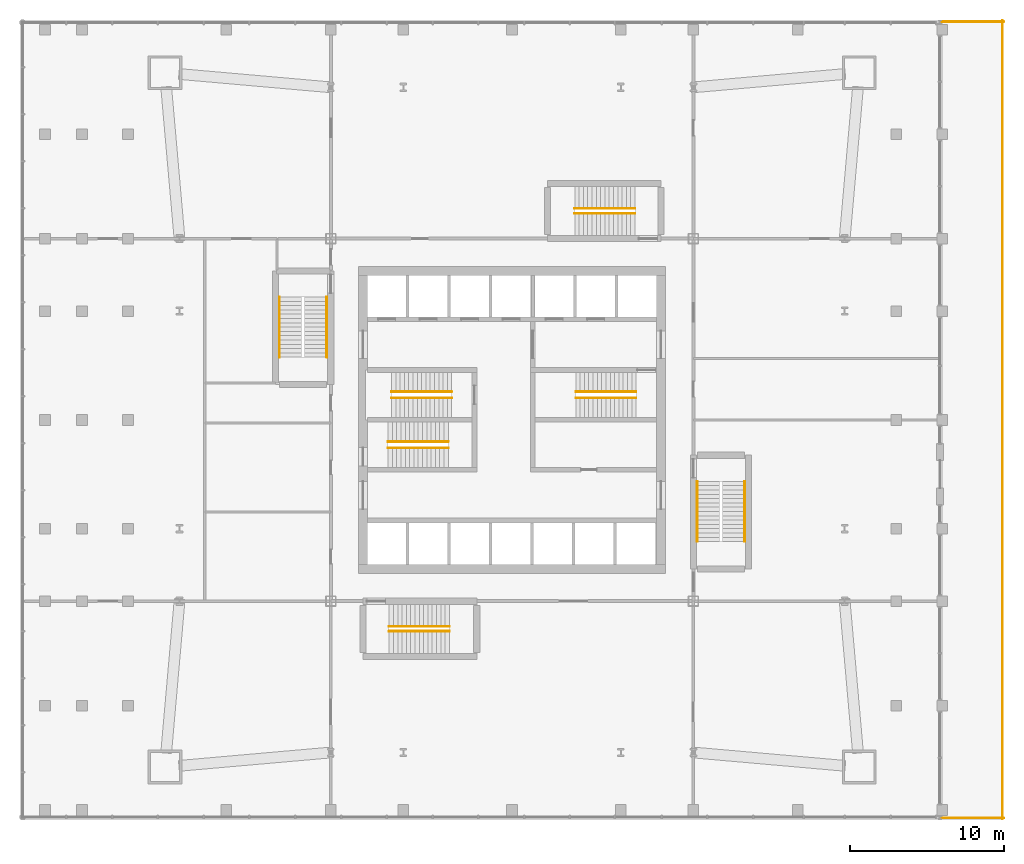
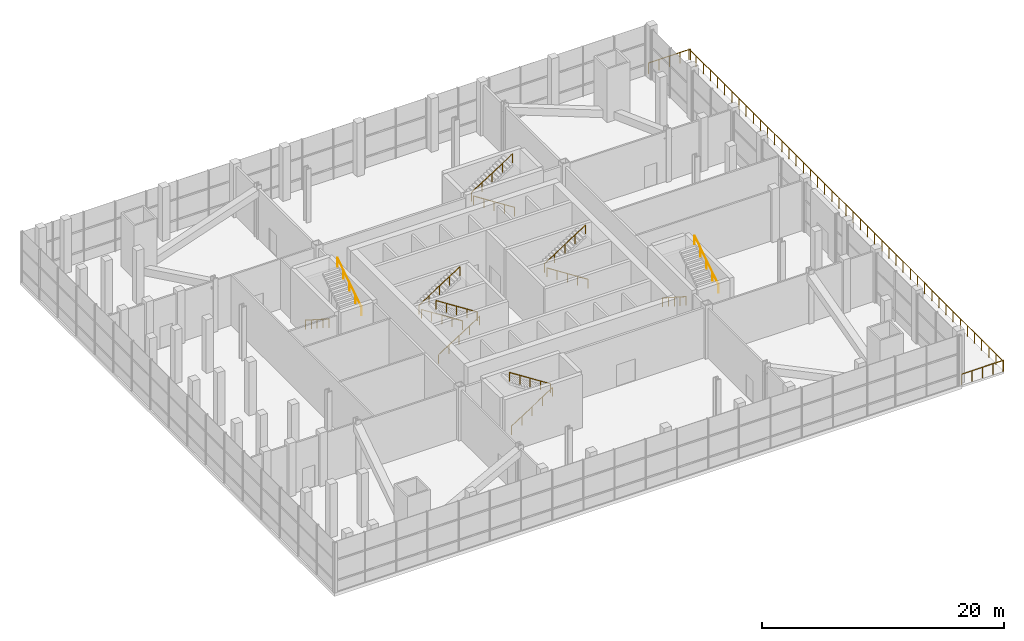
# One storey, part 17 of 17: 17 railings.
"""IFC4 building model written with IfcOpenShell, lengths in metres."""

from ifc_helpers import new_model, si_unit, direction, frame, origin, origin_2d, place, context, subcontext, project, spatial, circle, extrude, material, type_object, element, save


model = new_model("IFC4")

# Units and contexts
model_context = context("Model", 3, precision=1e-05, world=origin(), true_north=direction((0.0, 1.0)))
body_context = subcontext(model_context, "Body", "Model", "MODEL_VIEW")
ifc_project = project(units=[si_unit("LENGTHUNIT", "METRE"), si_unit("AREAUNIT", "SQUARE_METRE"), si_unit("VOLUMEUNIT", "CUBIC_METRE"), si_unit("PLANEANGLEUNIT", "RADIAN"), si_unit("MASSUNIT", "GRAM", prefix="KILO")], contexts=[model_context])

# Site, building, storey
site_placement = place(None, origin())
site = spatial("IfcSite", under=ifc_project, at=site_placement, CompositionType="ELEMENT")
building_placement = place(site_placement, origin())
building = spatial("IfcBuilding", under=site, at=building_placement, Name="Turquesa Mirador Hotel Tower", CompositionType="ELEMENT")
storey_placement = place(building_placement, frame((0.0, 0.0, 5.60009765625)))
storey = spatial("IfcBuildingStorey", under=building, at=storey_placement, Name="L01", CompositionType="ELEMENT", Elevation=5.60009765625)

# Railings
ifc_material_1 = material(Name="Bronze-finish steel and laminated glass", Category="steel")
railing_type_1 = type_object("IfcRailingType", Name="GUARD 1100 BRONZE AND GLASS", PredefinedType="GUARDRAIL", material=ifc_material_1)
railing_1_placement = place(storey_placement, frame((86.919921875, 71.0, 0.0)))
element("IfcRailing", 1, at=railing_1_placement, inside=storey, type_object=railing_type_1, Name="Terrace guard L01", PredefinedType="GUARDRAIL", context=body_context, shape_type="SweptSolid", body=[
    extrude(circle(Radius=0.02392578125, at=origin_2d()), frame((0.0, 0.0, 1.076171875), z_axis=(0.0, -1.0, 0.0), x_axis=(1.0, 0.0, 0.0)), (0.0, 0.0, 1.0), 52.0),
    extrude(circle(Radius=0.02099609375, at=origin_2d()), origin(), (0.0, 0.0, 1.0), 1.052001953125),
    extrude(circle(Radius=0.02099609375, at=origin_2d()), frame((0.0, -1.181884765625, 0.0)), (0.0, 0.0, 1.0), 1.052001953125),
    extrude(circle(Radius=0.02099609375, at=origin_2d()), frame((0.0, -2.363525390625, 0.0)), (0.0, 0.0, 1.0), 1.052001953125),
    extrude(circle(Radius=0.02099609375, at=origin_2d()), frame((0.0, -3.54541015625, 0.0)), (0.0, 0.0, 1.0), 1.052001953125),
    extrude(circle(Radius=0.02099609375, at=origin_2d()), frame((0.0, -4.727294921875, 0.0)), (0.0, 0.0, 1.0), 1.052001953125),
    extrude(circle(Radius=0.02099609375, at=origin_2d()), frame((0.0, -5.9091796875, 0.0)), (0.0, 0.0, 1.0), 1.052001953125),
    extrude(circle(Radius=0.02099609375, at=origin_2d()), frame((0.0, -7.0908203125, 0.0)), (0.0, 0.0, 1.0), 1.052001953125),
    extrude(circle(Radius=0.02099609375, at=origin_2d()), frame((0.0, -8.272705078125, 0.0)), (0.0, 0.0, 1.0), 1.052001953125),
    extrude(circle(Radius=0.02099609375, at=origin_2d()), frame((0.0, -9.45458984375, 0.0)), (0.0, 0.0, 1.0), 1.052001953125),
    extrude(circle(Radius=0.02099609375, at=origin_2d()), frame((0.0, -10.636474609375, 0.0)), (0.0, 0.0, 1.0), 1.052001953125),
    extrude(circle(Radius=0.02099609375, at=origin_2d()), frame((0.0, -11.818115234375, 0.0)), (0.0, 0.0, 1.0), 1.052001953125),
    extrude(circle(Radius=0.02099609375, at=origin_2d()), frame((0.0, -13.0, 0.0)), (0.0, 0.0, 1.0), 1.052001953125),
    extrude(circle(Radius=0.02099609375, at=origin_2d()), frame((0.0, -14.181884765625, 0.0)), (0.0, 0.0, 1.0), 1.052001953125),
    extrude(circle(Radius=0.02099609375, at=origin_2d()), frame((0.0, -15.363525390625, 0.0)), (0.0, 0.0, 1.0), 1.052001953125),
    extrude(circle(Radius=0.02099609375, at=origin_2d()), frame((0.0, -16.54541015625, 0.0)), (0.0, 0.0, 1.0), 1.052001953125),
    extrude(circle(Radius=0.02099609375, at=origin_2d()), frame((0.0, -17.727294921875, 0.0)), (0.0, 0.0, 1.0), 1.052001953125),
    extrude(circle(Radius=0.02099609375, at=origin_2d()), frame((0.0, -18.9091796875, 0.0)), (0.0, 0.0, 1.0), 1.052001953125),
    extrude(circle(Radius=0.02099609375, at=origin_2d()), frame((0.0, -20.0908203125, 0.0)), (0.0, 0.0, 1.0), 1.052001953125),
    extrude(circle(Radius=0.02099609375, at=origin_2d()), frame((0.0, -21.272705078125, 0.0)), (0.0, 0.0, 1.0), 1.052001953125),
    extrude(circle(Radius=0.02099609375, at=origin_2d()), frame((0.0, -22.45458984375, 0.0)), (0.0, 0.0, 1.0), 1.052001953125),
    extrude(circle(Radius=0.02099609375, at=origin_2d()), frame((0.0, -23.636474609375, 0.0)), (0.0, 0.0, 1.0), 1.052001953125),
    extrude(circle(Radius=0.02099609375, at=origin_2d()), frame((0.0, -24.818115234375, 0.0)), (0.0, 0.0, 1.0), 1.052001953125),
    extrude(circle(Radius=0.02099609375, at=origin_2d()), frame((0.0, -26.0, 0.0)), (0.0, 0.0, 1.0), 1.052001953125),
    extrude(circle(Radius=0.02099609375, at=origin_2d()), frame((0.0, -27.181884765625, 0.0)), (0.0, 0.0, 1.0), 1.052001953125),
    extrude(circle(Radius=0.02099609375, at=origin_2d()), frame((0.0, -28.363525390625, 0.0)), (0.0, 0.0, 1.0), 1.052001953125),
    extrude(circle(Radius=0.02099609375, at=origin_2d()), frame((0.0, -29.54541015625, 0.0)), (0.0, 0.0, 1.0), 1.052001953125),
    extrude(circle(Radius=0.02099609375, at=origin_2d()), frame((0.0, -30.727294921875, 0.0)), (0.0, 0.0, 1.0), 1.052001953125),
    extrude(circle(Radius=0.02099609375, at=origin_2d()), frame((0.0, -31.9091796875, 0.0)), (0.0, 0.0, 1.0), 1.052001953125),
    extrude(circle(Radius=0.02099609375, at=origin_2d()), frame((0.0, -33.0908203125, 0.0)), (0.0, 0.0, 1.0), 1.052001953125),
    extrude(circle(Radius=0.02099609375, at=origin_2d()), frame((0.0, -34.272705078125, 0.0)), (0.0, 0.0, 1.0), 1.052001953125),
    extrude(circle(Radius=0.02099609375, at=origin_2d()), frame((0.0, -35.45458984375, 0.0)), (0.0, 0.0, 1.0), 1.052001953125),
    extrude(circle(Radius=0.02099609375, at=origin_2d()), frame((0.0, -36.636474609375, 0.0)), (0.0, 0.0, 1.0), 1.052001953125),
    extrude(circle(Radius=0.02099609375, at=origin_2d()), frame((0.0, -37.818115234375, 0.0)), (0.0, 0.0, 1.0), 1.052001953125),
    extrude(circle(Radius=0.02099609375, at=origin_2d()), frame((0.0, -39.0, 0.0)), (0.0, 0.0, 1.0), 1.052001953125),
    extrude(circle(Radius=0.02099609375, at=origin_2d()), frame((0.0, -40.181884765625, 0.0)), (0.0, 0.0, 1.0), 1.052001953125),
    extrude(circle(Radius=0.02099609375, at=origin_2d()), frame((0.0, -41.363525390625, 0.0)), (0.0, 0.0, 1.0), 1.052001953125),
    extrude(circle(Radius=0.02099609375, at=origin_2d()), frame((0.0, -42.54541015625, 0.0)), (0.0, 0.0, 1.0), 1.052001953125),
    extrude(circle(Radius=0.02099609375, at=origin_2d()), frame((0.0, -43.727294921875, 0.0)), (0.0, 0.0, 1.0), 1.052001953125),
    extrude(circle(Radius=0.02099609375, at=origin_2d()), frame((0.0, -44.9091796875, 0.0)), (0.0, 0.0, 1.0), 1.052001953125),
    extrude(circle(Radius=0.02099609375, at=origin_2d()), frame((0.0, -46.0908203125, 0.0)), (0.0, 0.0, 1.0), 1.052001953125),
    extrude(circle(Radius=0.02099609375, at=origin_2d()), frame((0.0, -47.272705078125, 0.0)), (0.0, 0.0, 1.0), 1.052001953125),
    extrude(circle(Radius=0.02099609375, at=origin_2d()), frame((0.0, -48.45458984375, 0.0)), (0.0, 0.0, 1.0), 1.052001953125),
    extrude(circle(Radius=0.02099609375, at=origin_2d()), frame((0.0, -49.636474609375, 0.0)), (0.0, 0.0, 1.0), 1.052001953125),
    extrude(circle(Radius=0.02099609375, at=origin_2d()), frame((0.0, -50.818115234375, 0.0)), (0.0, 0.0, 1.0), 1.052001953125),
    extrude(circle(Radius=0.02099609375, at=origin_2d()), frame((0.0, -52.0, 0.0)), (0.0, 0.0, 1.0), 1.052001953125),
])
railing_2_placement = place(storey_placement, frame((87.0, 19.080078125, 0.0)))
element("IfcRailing", 2, at=railing_2_placement, inside=storey, type_object=railing_type_1, Name="Terrace guard L01", PredefinedType="GUARDRAIL", context=body_context, shape_type="SweptSolid", body=[
    extrude(circle(Radius=0.02392578125, at=origin_2d()), frame((0.0, 0.0, 1.076171875), z_axis=(-1.0, 0.0, 0.0), x_axis=(0.0, -1.0, 0.0)), (0.0, 0.0, 1.0), 4.0),
    extrude(circle(Radius=0.02099609375, at=origin_2d()), origin(), (0.0, 0.0, 1.0), 1.052001953125),
    extrude(circle(Radius=0.02099609375, at=origin_2d()), frame((-1.0, 0.0, 0.0)), (0.0, 0.0, 1.0), 1.052001953125),
    extrude(circle(Radius=0.02099609375, at=origin_2d()), frame((-2.0, 0.0, 0.0)), (0.0, 0.0, 1.0), 1.052001953125),
    extrude(circle(Radius=0.02099609375, at=origin_2d()), frame((-3.0, 0.0, 0.0)), (0.0, 0.0, 1.0), 1.052001953125),
    extrude(circle(Radius=0.02099609375, at=origin_2d()), frame((-4.0, 0.0, 0.0)), (0.0, 0.0, 1.0), 1.052001953125),
])
railing_3_placement = place(storey_placement, frame((83.0, 70.919921875, 0.0)))
element("IfcRailing", 3, at=railing_3_placement, inside=storey, type_object=railing_type_1, Name="Terrace guard L01", PredefinedType="GUARDRAIL", context=body_context, shape_type="SweptSolid", body=[
    extrude(circle(Radius=0.02392578125, at=origin_2d()), frame((0.0, 0.0, 1.076171875), z_axis=(1.0, 0.0, 0.0), x_axis=(0.0, 1.0, 0.0)), (0.0, 0.0, 1.0), 4.0),
    extrude(circle(Radius=0.02099609375, at=origin_2d()), origin(), (0.0, 0.0, 1.0), 1.052001953125),
    extrude(circle(Radius=0.02099609375, at=origin_2d()), frame((1.0, 0.0, 0.0)), (0.0, 0.0, 1.0), 1.052001953125),
    extrude(circle(Radius=0.02099609375, at=origin_2d()), frame((2.0, 0.0, 0.0)), (0.0, 0.0, 1.0), 1.052001953125),
    extrude(circle(Radius=0.02099609375, at=origin_2d()), frame((3.0, 0.0, 0.0)), (0.0, 0.0, 1.0), 1.052001953125),
    extrude(circle(Radius=0.02099609375, at=origin_2d()), frame((4.0, 0.0, 0.0)), (0.0, 0.0, 1.0), 1.052001953125),
])
ifc_material_2 = material(Name="Painted steel handrail", Category="steel")
railing_type_2 = type_object("IfcRailingType", Name="HANDRAIL 900 STEEL", PredefinedType="HANDRAIL", material=ifc_material_2)
railing_4_placement = place(storey_placement, frame((51.070068359375, 46.419921875, 0.179931640625)))
element("IfcRailing", 4, at=railing_4_placement, inside=storey, type_object=railing_type_2, Name="Handrail ST1", PredefinedType="HANDRAIL", context=body_context, shape_type="SweptSolid", body=[
    extrude(circle(Radius=0.02392578125, at=origin_2d()), frame((0.0, 0.0, 0.8759765625), z_axis=(-0.841186985886, 0.0, 0.540744352514), x_axis=(0.0, -1.0, 0.0)), (0.0, 0.0, 1.0), 4.660400390625),
    extrude(circle(Radius=0.02099609375, at=origin_2d()), origin(), (0.0, 0.0, 1.0), 0.851806640625),
    extrude(circle(Radius=0.02099609375, at=origin_2d()), frame((-0.97998046875, 0.0, 0.6298828125)), (0.0, 0.0, 1.0), 0.851806640625),
    extrude(circle(Radius=0.02099609375, at=origin_2d()), frame((-1.9599609375, 0.0, 1.260009765625)), (0.0, 0.0, 1.0), 0.851806640625),
    extrude(circle(Radius=0.02099609375, at=origin_2d()), frame((-2.940185546875, 0.0, 1.89013671875)), (0.0, 0.0, 1.0), 0.851806640625),
    extrude(circle(Radius=0.02099609375, at=origin_2d()), frame((-3.920166015625, 0.0, 2.52001953125)), (0.0, 0.0, 1.0), 0.851806640625),
])
for number, where, name in (
    (5, (47.14990234375, 46.830078125, 2.8798828125), "Handrail ST1"),
    (6, (46.929931640625, 43.169921875, 0.179931640625), "Handrail ST2"),
):
    element("IfcRailing", number, at=place(storey_placement, frame(where)), inside=storey, type_object=railing_type_2, Name=name, PredefinedType="HANDRAIL", context=body_context, shape_type="SweptSolid", body=[
        extrude(circle(Radius=0.02392578125, at=origin_2d()), frame((0.0, 0.0, 0.8759765625), z_axis=(0.841186985886, 0.0, 0.540744352514), x_axis=(0.0, 1.0, 0.0)), (0.0, 0.0, 1.0), 4.660400390625),
        extrude(circle(Radius=0.02099609375, at=origin_2d()), origin(), (0.0, 0.0, 1.0), 0.851806640625),
        extrude(circle(Radius=0.02099609375, at=origin_2d()), frame((0.97998046875, 0.0, 0.6298828125)), (0.0, 0.0, 1.0), 0.851806640625),
        extrude(circle(Radius=0.02099609375, at=origin_2d()), frame((1.9599609375, 0.0, 1.260009765625)), (0.0, 0.0, 1.0), 0.851806640625),
        extrude(circle(Radius=0.02099609375, at=origin_2d()), frame((2.940185546875, 0.0, 1.89013671875)), (0.0, 0.0, 1.0), 0.851806640625),
        extrude(circle(Radius=0.02099609375, at=origin_2d()), frame((3.920166015625, 0.0, 2.52001953125)), (0.0, 0.0, 1.0), 0.851806640625),
    ])
for number, where, name in (
    (7, (50.85009765625, 43.580078125, 2.8798828125), "Handrail ST2"),
    (8, (63.070068359375, 46.419921875, 0.179931640625), "Handrail ST3"),
):
    element("IfcRailing", number, at=place(storey_placement, frame(where)), inside=storey, type_object=railing_type_2, Name=name, PredefinedType="HANDRAIL", context=body_context, shape_type="SweptSolid", body=[
        extrude(circle(Radius=0.02392578125, at=origin_2d()), frame((0.0, 0.0, 0.8759765625), z_axis=(-0.841186985886, 0.0, 0.540744352514), x_axis=(0.0, -1.0, 0.0)), (0.0, 0.0, 1.0), 4.660400390625),
        extrude(circle(Radius=0.02099609375, at=origin_2d()), origin(), (0.0, 0.0, 1.0), 0.851806640625),
        extrude(circle(Radius=0.02099609375, at=origin_2d()), frame((-0.97998046875, 0.0, 0.6298828125)), (0.0, 0.0, 1.0), 0.851806640625),
        extrude(circle(Radius=0.02099609375, at=origin_2d()), frame((-1.9599609375, 0.0, 1.260009765625)), (0.0, 0.0, 1.0), 0.851806640625),
        extrude(circle(Radius=0.02099609375, at=origin_2d()), frame((-2.940185546875, 0.0, 1.89013671875)), (0.0, 0.0, 1.0), 0.851806640625),
        extrude(circle(Radius=0.02099609375, at=origin_2d()), frame((-3.920166015625, 0.0, 2.52001953125)), (0.0, 0.0, 1.0), 0.851806640625),
    ])
railing_5_placement = place(storey_placement, frame((59.14990234375, 46.830078125, 2.8798828125)))
element("IfcRailing", 9, at=railing_5_placement, inside=storey, type_object=railing_type_2, Name="Handrail ST3", PredefinedType="HANDRAIL", context=body_context, shape_type="SweptSolid", body=[
    extrude(circle(Radius=0.02392578125, at=origin_2d()), frame((0.0, 0.0, 0.8759765625), z_axis=(0.841186985886, 0.0, 0.540744352514), x_axis=(0.0, 1.0, 0.0)), (0.0, 0.0, 1.0), 4.660400390625),
    extrude(circle(Radius=0.02099609375, at=origin_2d()), origin(), (0.0, 0.0, 1.0), 0.851806640625),
    extrude(circle(Radius=0.02099609375, at=origin_2d()), frame((0.97998046875, 0.0, 0.6298828125)), (0.0, 0.0, 1.0), 0.851806640625),
    extrude(circle(Radius=0.02099609375, at=origin_2d()), frame((1.9599609375, 0.0, 1.260009765625)), (0.0, 0.0, 1.0), 0.851806640625),
    extrude(circle(Radius=0.02099609375, at=origin_2d()), frame((2.940185546875, 0.0, 1.89013671875)), (0.0, 0.0, 1.0), 0.851806640625),
    extrude(circle(Radius=0.02099609375, at=origin_2d()), frame((3.920166015625, 0.0, 2.52001953125)), (0.0, 0.0, 1.0), 0.851806640625),
])
railing_6_placement = place(storey_placement, frame((63.0, 58.43994140625, 0.179931640625)))
element("IfcRailing", 10, at=railing_6_placement, inside=storey, type_object=railing_type_2, Name="Handrail PS1", PredefinedType="HANDRAIL", context=body_context, shape_type="SweptSolid", body=[
    extrude(circle(Radius=0.02392578125, at=origin_2d()), frame((0.0, 0.0, 0.8759765625), z_axis=(-0.841171666519, 0.0, 0.540768182723), x_axis=(0.0, -1.0, 0.0)), (0.0, 0.0, 1.0), 4.66015625),
    extrude(circle(Radius=0.02099609375, at=origin_2d()), origin(), (0.0, 0.0, 1.0), 0.851806640625),
    extrude(circle(Radius=0.02099609375, at=origin_2d()), frame((-0.97998046875, 0.0, 0.6298828125)), (0.0, 0.0, 1.0), 0.851806640625),
    extrude(circle(Radius=0.02099609375, at=origin_2d()), frame((-1.9599609375, 0.0, 1.260009765625)), (0.0, 0.0, 1.0), 0.851806640625),
    extrude(circle(Radius=0.02099609375, at=origin_2d()), frame((-2.93994140625, 0.0, 1.89013671875)), (0.0, 0.0, 1.0), 0.851806640625),
    extrude(circle(Radius=0.02099609375, at=origin_2d()), frame((-3.919921875, 0.0, 2.52001953125)), (0.0, 0.0, 1.0), 0.851806640625),
])
for number, where, name in (
    (11, (59.080078125, 58.760009765625, 2.8798828125), "Handrail PS1"),
    (12, (47.0, 31.239990234375, 0.179931640625), "Handrail PS2"),
):
    element("IfcRailing", number, at=place(storey_placement, frame(where)), inside=storey, type_object=railing_type_2, Name=name, PredefinedType="HANDRAIL", context=body_context, shape_type="SweptSolid", body=[
        extrude(circle(Radius=0.02392578125, at=origin_2d()), frame((0.0, 0.0, 0.8759765625), z_axis=(0.841171666519, 0.0, 0.540768182723), x_axis=(0.0, 1.0, 0.0)), (0.0, 0.0, 1.0), 4.66015625),
        extrude(circle(Radius=0.02099609375, at=origin_2d()), origin(), (0.0, 0.0, 1.0), 0.851806640625),
        extrude(circle(Radius=0.02099609375, at=origin_2d()), frame((0.97998046875, 0.0, 0.6298828125)), (0.0, 0.0, 1.0), 0.851806640625),
        extrude(circle(Radius=0.02099609375, at=origin_2d()), frame((1.9599609375, 0.0, 1.260009765625)), (0.0, 0.0, 1.0), 0.851806640625),
        extrude(circle(Radius=0.02099609375, at=origin_2d()), frame((2.93994140625, 0.0, 1.89013671875)), (0.0, 0.0, 1.0), 0.851806640625),
        extrude(circle(Radius=0.02099609375, at=origin_2d()), frame((3.919921875, 0.0, 2.52001953125)), (0.0, 0.0, 1.0), 0.851806640625),
    ])
railing_7_placement = place(storey_placement, frame((50.919921875, 31.56005859375, 2.8798828125)))
element("IfcRailing", 13, at=railing_7_placement, inside=storey, type_object=railing_type_2, Name="Handrail PS2", PredefinedType="HANDRAIL", context=body_context, shape_type="SweptSolid", body=[
    extrude(circle(Radius=0.02392578125, at=origin_2d()), frame((0.0, 0.0, 0.8759765625), z_axis=(-0.841171666519, 0.0, 0.540768182723), x_axis=(0.0, -1.0, 0.0)), (0.0, 0.0, 1.0), 4.66015625),
    extrude(circle(Radius=0.02099609375, at=origin_2d()), origin(), (0.0, 0.0, 1.0), 0.851806640625),
    extrude(circle(Radius=0.02099609375, at=origin_2d()), frame((-0.97998046875, 0.0, 0.6298828125)), (0.0, 0.0, 1.0), 0.851806640625),
    extrude(circle(Radius=0.02099609375, at=origin_2d()), frame((-1.9599609375, 0.0, 1.260009765625)), (0.0, 0.0, 1.0), 0.851806640625),
    extrude(circle(Radius=0.02099609375, at=origin_2d()), frame((-2.93994140625, 0.0, 1.89013671875)), (0.0, 0.0, 1.0), 0.851806640625),
    extrude(circle(Radius=0.02099609375, at=origin_2d()), frame((-3.919921875, 0.0, 2.52001953125)), (0.0, 0.0, 1.0), 0.851806640625),
])
railing_8_placement = place(storey_placement, frame((67.06005859375, 41.0, 0.179931640625)))
element("IfcRailing", 14, at=railing_8_placement, inside=storey, type_object=railing_type_2, Name="Handrail PS3", PredefinedType="HANDRAIL", context=body_context, shape_type="SweptSolid", body=[
    extrude(circle(Radius=0.02392578125, at=origin_2d()), frame((0.0, 0.0, 0.8759765625), z_axis=(0.0, -0.841171666519, 0.540768182723), x_axis=(1.0, 0.0, 0.0)), (0.0, 0.0, 1.0), 4.66015625),
    extrude(circle(Radius=0.02099609375, at=origin_2d()), origin(), (0.0, 0.0, 1.0), 0.851806640625),
    extrude(circle(Radius=0.02099609375, at=origin_2d()), frame((0.0, -0.97998046875, 0.6298828125)), (0.0, 0.0, 1.0), 0.851806640625),
    extrude(circle(Radius=0.02099609375, at=origin_2d()), frame((0.0, -1.9599609375, 1.260009765625)), (0.0, 0.0, 1.0), 0.851806640625),
    extrude(circle(Radius=0.02099609375, at=origin_2d()), frame((0.0, -2.93994140625, 1.89013671875)), (0.0, 0.0, 1.0), 0.851806640625),
    extrude(circle(Radius=0.02099609375, at=origin_2d()), frame((0.0, -3.919921875, 2.52001953125)), (0.0, 0.0, 1.0), 0.851806640625),
])
railing_9_placement = place(storey_placement, frame((70.139892578125, 37.080078125, 2.8798828125)))
element("IfcRailing", 15, at=railing_9_placement, inside=storey, type_object=railing_type_2, Name="Handrail PS3", PredefinedType="HANDRAIL", context=body_context, shape_type="SweptSolid", body=[
    extrude(circle(Radius=0.02392578125, at=origin_2d()), frame((0.0, 0.0, 0.8759765625), z_axis=(0.0, 0.841171666519, 0.540768182723), x_axis=(-1.0, 0.0, 0.0)), (0.0, 0.0, 1.0), 4.66015625),
    extrude(circle(Radius=0.02099609375, at=origin_2d()), origin(), (0.0, 0.0, 1.0), 0.851806640625),
    extrude(circle(Radius=0.02099609375, at=origin_2d()), frame((0.0, 0.97998046875, 0.6298828125)), (0.0, 0.0, 1.0), 0.851806640625),
    extrude(circle(Radius=0.02099609375, at=origin_2d()), frame((0.0, 1.9599609375, 1.260009765625)), (0.0, 0.0, 1.0), 0.851806640625),
    extrude(circle(Radius=0.02099609375, at=origin_2d()), frame((0.0, 2.93994140625, 1.89013671875)), (0.0, 0.0, 1.0), 0.851806640625),
    extrude(circle(Radius=0.02099609375, at=origin_2d()), frame((0.0, 3.919921875, 2.52001953125)), (0.0, 0.0, 1.0), 0.851806640625),
])
railing_10_placement = place(storey_placement, frame((39.860107421875, 53.0, 0.179931640625)))
element("IfcRailing", 16, at=railing_10_placement, inside=storey, type_object=railing_type_2, Name="Handrail PS4", PredefinedType="HANDRAIL", context=body_context, shape_type="SweptSolid", body=[
    extrude(circle(Radius=0.02392578125, at=origin_2d()), frame((0.0, 0.0, 0.8759765625), z_axis=(0.0, -0.841171666519, 0.540768182723), x_axis=(1.0, 0.0, 0.0)), (0.0, 0.0, 1.0), 4.66015625),
    extrude(circle(Radius=0.02099609375, at=origin_2d()), origin(), (0.0, 0.0, 1.0), 0.851806640625),
    extrude(circle(Radius=0.02099609375, at=origin_2d()), frame((0.0, -0.97998046875, 0.6298828125)), (0.0, 0.0, 1.0), 0.851806640625),
    extrude(circle(Radius=0.02099609375, at=origin_2d()), frame((0.0, -1.9599609375, 1.260009765625)), (0.0, 0.0, 1.0), 0.851806640625),
    extrude(circle(Radius=0.02099609375, at=origin_2d()), frame((0.0, -2.93994140625, 1.89013671875)), (0.0, 0.0, 1.0), 0.851806640625),
    extrude(circle(Radius=0.02099609375, at=origin_2d()), frame((0.0, -3.919921875, 2.52001953125)), (0.0, 0.0, 1.0), 0.851806640625),
])
railing_11_placement = place(storey_placement, frame((42.93994140625, 49.080078125, 2.8798828125)))
element("IfcRailing", 17, at=railing_11_placement, inside=storey, type_object=railing_type_2, Name="Handrail PS4", PredefinedType="HANDRAIL", context=body_context, shape_type="SweptSolid", body=[
    extrude(circle(Radius=0.02392578125, at=origin_2d()), frame((0.0, 0.0, 0.8759765625), z_axis=(0.0, 0.841171666519, 0.540768182723), x_axis=(-1.0, 0.0, 0.0)), (0.0, 0.0, 1.0), 4.66015625),
    extrude(circle(Radius=0.02099609375, at=origin_2d()), origin(), (0.0, 0.0, 1.0), 0.851806640625),
    extrude(circle(Radius=0.02099609375, at=origin_2d()), frame((0.0, 0.97998046875, 0.6298828125)), (0.0, 0.0, 1.0), 0.851806640625),
    extrude(circle(Radius=0.02099609375, at=origin_2d()), frame((0.0, 1.9599609375, 1.260009765625)), (0.0, 0.0, 1.0), 0.851806640625),
    extrude(circle(Radius=0.02099609375, at=origin_2d()), frame((0.0, 2.93994140625, 1.89013671875)), (0.0, 0.0, 1.0), 0.851806640625),
    extrude(circle(Radius=0.02099609375, at=origin_2d()), frame((0.0, 3.919921875, 2.52001953125)), (0.0, 0.0, 1.0), 0.851806640625),
])

save(model, "model.ifc")
